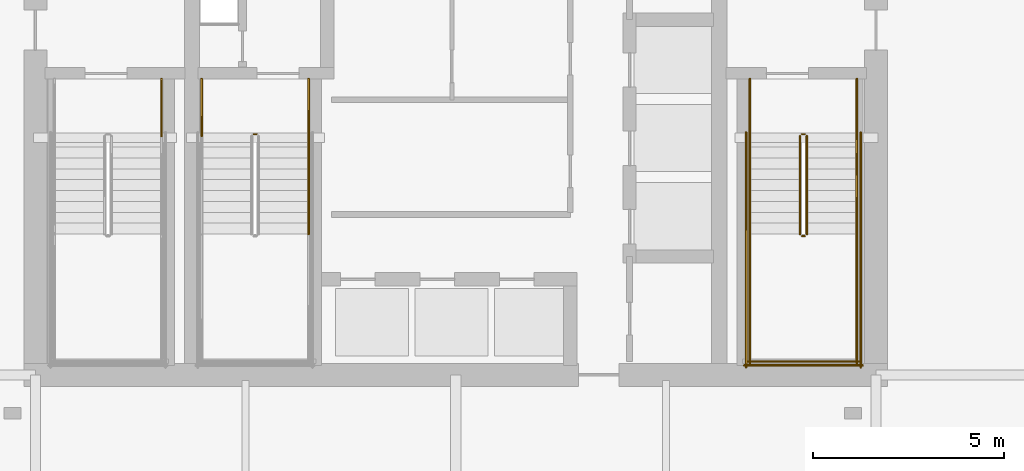
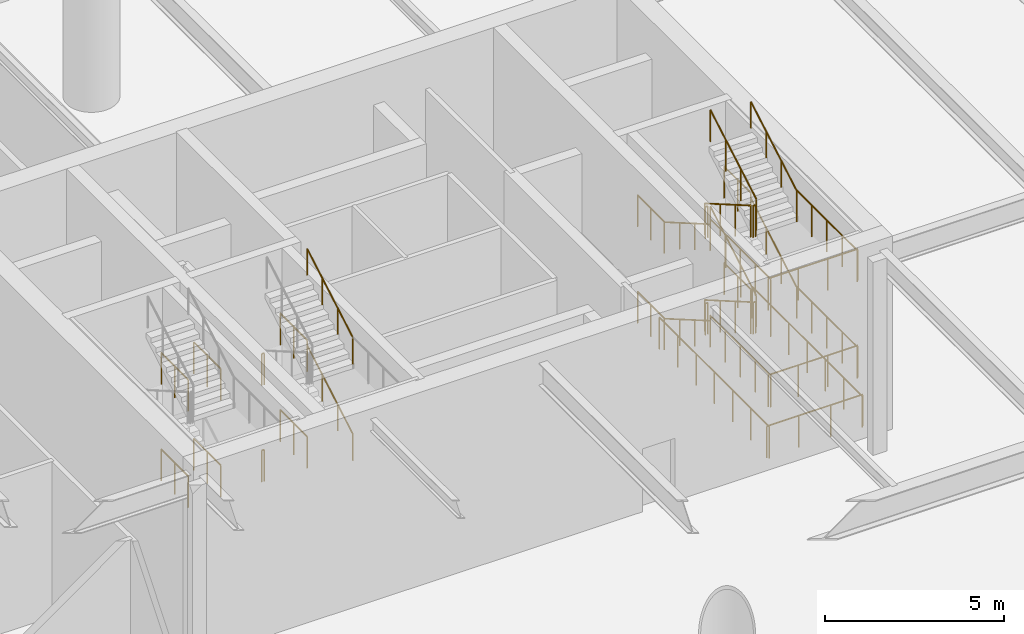
# One storey, part 11 of 15: 35 railings.
"""IFC4 building model written with IfcOpenShell, lengths in metres."""

import ifcopenshell
import ifcopenshell.guid

model = None  # the IFC model being written
_history = None  # IfcOwnerHistory: only IFC2X3 demands one
_inside = {}  # id of a spatial element -> (the spatial element, [elements in it])
_under = {}  # id of a project, library or spatial element -> (it, [spatial elements below it])
_declared = {}  # id of a project -> (the project, [libraries it declares])
_typed = {}  # id of a type object -> (the type object, [elements of that type])
_made_of = {}  # id of a material, layer set ... -> (it, [elements and type objects made of it])


def new_model(schema):
    """Start an empty IFC model of exactly this schema.

    Asked for "IFC4X3", IfcOpenShell would pick the latest addendum, in which some entities
    have other attributes; the version numbers below select the first issue.
    IFC2X3 requires an IfcOwnerHistory on every rooted entity: one is made here for all.
    """
    global model, _history
    if schema == "IFC4X3":
        model = ifcopenshell.file(schema_version=(4, 3, 0, 0))
    else:
        model = ifcopenshell.file(schema=schema)
    _inside.clear()
    _under.clear()
    _declared.clear()
    _typed.clear()
    _made_of.clear()
    _history = None
    if model.schema == "IFC2X3":
        org = make("IfcOrganization", Name="unknown")
        user = make(
            "IfcPersonAndOrganization",
            ThePerson=make("IfcPerson", FamilyName="unknown"),
            TheOrganization=org,
        )
        app = make(
            "IfcApplication",
            ApplicationDeveloper=org,
            Version="unknown",
            ApplicationFullName="unknown",
            ApplicationIdentifier="unknown",
        )
        _history = make(
            "IfcOwnerHistory",
            OwningUser=user,
            OwningApplication=app,
            ChangeAction="ADDED",
            CreationDate=0,
        )
    return model


def make(cls, **values):
    """One entity of the class cls with the attributes given. An attribute that is None is left unset."""
    return model.create_entity(
        cls, **{name: value for name, value in values.items() if value is not None}
    )


def rooted(cls, **values):
    """An entity with a GlobalId (a new one), such as an element, a storey or a relation."""
    return make(cls, GlobalId=ifcopenshell.guid.new(), OwnerHistory=_history, **values)


def si_unit(unit_type, name, prefix=None):
    """IfcSIUnit, for example si_unit("LENGTHUNIT", "METRE", prefix="MILLI")."""
    return make("IfcSIUnit", UnitType=unit_type, Prefix=prefix, Name=name)


def assignment(units):
    """IfcUnitAssignment: the units of a project."""
    return None if units is None else make("IfcUnitAssignment", Units=units)


def point(xyz):
    """IfcCartesianPoint."""
    return None if xyz is None else make("IfcCartesianPoint", Coordinates=xyz)


def direction(xyz):
    """IfcDirection."""
    return None if xyz is None else make("IfcDirection", DirectionRatios=xyz)


def frame(location, z_axis=None, x_axis=None):
    """IfcAxis2Placement3D, a coordinate frame: its origin and axes. An axis left out is left unset."""
    return make(
        "IfcAxis2Placement3D",
        Location=point(location),
        Axis=direction(z_axis),
        RefDirection=direction(x_axis),
    )


def frame_2d(location, x_axis=None):
    """IfcAxis2Placement2D, a coordinate frame in the plane: its origin and x axis."""
    return make(
        "IfcAxis2Placement2D", Location=point(location), RefDirection=direction(x_axis)
    )


def origin():
    """The frame at (0, 0, 0) with its axes left unset."""
    return frame((0.0, 0.0, 0.0))


def origin_2d():
    """The frame at (0, 0) in the plane with its x axis left unset."""
    return frame_2d((0.0, 0.0))


def place(relative_to, where):
    """IfcLocalPlacement: puts the frame where relative to a parent placement (None: the world)."""
    return make(
        "IfcLocalPlacement", PlacementRelTo=relative_to, RelativePlacement=where
    )


def context(
    kind, dimensions, precision=None, world=None, true_north=None, identifier=None
):
    """IfcGeometricRepresentationContext, for example the 3D "Model" context."""
    return make(
        "IfcGeometricRepresentationContext",
        ContextIdentifier=identifier,
        ContextType=kind,
        CoordinateSpaceDimension=dimensions,
        Precision=precision,
        WorldCoordinateSystem=world,
        TrueNorth=true_north,
    )


def subcontext(parent, identifier, kind, view, scale=None):
    """IfcGeometricRepresentationSubContext, for example "Body" below "Model"."""
    return make(
        "IfcGeometricRepresentationSubContext",
        ContextIdentifier=identifier,
        ContextType=kind,
        ParentContext=parent,
        TargetScale=scale,
        TargetView=view,
    )


def project(units=None, contexts=None):
    """IfcProject with its units and contexts."""
    return rooted(
        "IfcProject",
        Name="project",
        RepresentationContexts=contexts,
        UnitsInContext=assignment(units),
    )


def spatial(cls, under=None, at=None, **own):
    """A site, building, storey or space (cls), placed at a placement, below another one or the project."""
    s = rooted(cls, ObjectPlacement=at, **own)
    if under is not None:
        _under.setdefault(under.id(), (under, []))[1].append(s)
    return s


def profile(cls, at=None, kind="AREA", **sizes):
    """A parametric profile (cls). Its sizes go by their IFC names, for example OverallWidth=200.0."""
    return make(cls, ProfileType=kind, Position=at, **sizes)


def circle(**sizes):
    """IfcCircleProfileDef."""
    return profile("IfcCircleProfileDef", **sizes)


def extrude(swept, where, along, depth):
    """IfcExtrudedAreaSolid: the profile swept, set in the frame where, extruded along a direction by depth."""
    return make(
        "IfcExtrudedAreaSolid",
        SweptArea=swept,
        Position=where,
        ExtrudedDirection=direction(along),
        Depth=depth,
    )


def shape(context_of_items, identifier, shape_type, items):
    """IfcShapeRepresentation: the items that make up one representation, for example the "Body"."""
    return make(
        "IfcShapeRepresentation",
        ContextOfItems=context_of_items,
        RepresentationIdentifier=identifier,
        RepresentationType=shape_type,
        Items=items,
    )


def material(Name=None, Category=None):
    """IfcMaterial."""
    return make("IfcMaterial", Name=Name, Category=Category)


def made_of(thing, what):
    """Note that an element or type object is made of a material, layer set ...; save() writes the relation."""
    if what is not None:
        _made_of.setdefault(what.id(), (what, []))[1].append(thing)
    return thing


def type_object(cls, material=None, **own):
    """A type object (cls), such as IfcWallType, which elements share."""
    return made_of(rooted(cls, **own), material)


def element(
    cls,
    number,
    at=None,
    inside=None,
    cuts=None,
    type_object=None,
    material=None,
    context=None,
    identifier="Body",
    shape_type=None,
    held_by="IfcProductDefinitionShape",
    body=None,
    shapes=None,
    **own,
):
    """One element of the class cls, such as IfcWall. Its Tag is "e" and its number.

    at: its placement. inside: the storey or other place that contains it. cuts: it is an
    opening in that element (IfcRelVoidsElement). A single representation is given by context,
    identifier, shape_type and body (its items); several are given by shapes. held_by: the class
    of the entity that holds the representations. save() writes the other relations.
    """
    e = rooted(cls, Tag="e%d" % number, ObjectPlacement=at, **own)
    if body is not None:
        shapes = [shape(context, identifier, shape_type, body)]
    if shapes is not None:
        e.Representation = make(held_by, Representations=shapes)
    if inside is not None:
        _inside.setdefault(inside.id(), (inside, []))[1].append(e)
    if cuts is not None:
        rooted(
            "IfcRelVoidsElement", RelatingBuildingElement=cuts, RelatedOpeningElement=e
        )
    if type_object is not None:
        _typed.setdefault(type_object.id(), (type_object, []))[1].append(e)
    return made_of(e, material)


def aggregate(whole, parts):
    """IfcRelAggregates: a whole, such as a stair, and the parts it consists of."""
    return rooted("IfcRelAggregates", RelatingObject=whole, RelatedObjects=parts)


def save(model, path):
    """Write the relations noted so far, then the file.

    IfcRelAggregates (storeys below a building ...), IfcRelContainedInSpatialStructure (elements
    in a storey), IfcRelDefinesByType, IfcRelAssociatesMaterial and IfcRelDeclares: one each for
    every whole, place, type object, material and project.
    """
    for whole, parts in _under.values():
        aggregate(whole, parts)
    for where, things in _inside.values():
        rooted(
            "IfcRelContainedInSpatialStructure",
            RelatedElements=things,
            RelatingStructure=where,
        )
    for kind, things in _typed.values():
        rooted("IfcRelDefinesByType", RelatedObjects=things, RelatingType=kind)
    for what, things in _made_of.values():
        rooted("IfcRelAssociatesMaterial", RelatedObjects=things, RelatingMaterial=what)
    for by, libraries in _declared.values():
        rooted("IfcRelDeclares", RelatingContext=by, RelatedDefinitions=libraries)
    model.write(path)


model = new_model("IFC4")

# Units and contexts
model_context = context("Model", 3, precision=1e-05, world=origin(), true_north=direction((0.0, 1.0)))
body_context = subcontext(model_context, "Body", "Model", "MODEL_VIEW")
ifc_project = project(units=[si_unit("LENGTHUNIT", "METRE"), si_unit("AREAUNIT", "SQUARE_METRE"), si_unit("VOLUMEUNIT", "CUBIC_METRE"), si_unit("PLANEANGLEUNIT", "RADIAN"), si_unit("MASSUNIT", "GRAM", prefix="KILO")], contexts=[model_context])

# Site, building, storey
site_placement = place(None, origin())
site = spatial("IfcSite", under=ifc_project, at=site_placement, CompositionType="ELEMENT")
building_placement = place(site_placement, origin())
building = spatial("IfcBuilding", under=site, at=building_placement, Name="Bramvorn Convention Spire", CompositionType="ELEMENT")
storey_placement = place(building_placement, origin())
storey = spatial("IfcBuildingStorey", under=building, at=storey_placement, Name="L00", CompositionType="ELEMENT", Elevation=0.0)

# Railings
ifc_material_1 = material(Name="Painted Steel Balustrade & Guardrail", Category="steel")
railing_type_1 = type_object("IfcRailingType", Name="RL-STAIR-GUARD-1100", PredefinedType="GUARDRAIL", material=ifc_material_1)
for number, where, name in (
    (1, (30.300048828125, 26.550048828125, 3.300048828125), "L00 ST1 stair guard 9"),
    (2, (30.300048828125, 26.550048828125, 0.0), "L00 ST1 stair guard 18"),
):
    element("IfcRailing", number, at=place(storey_placement, frame(where)), inside=storey, type_object=railing_type_1, Name=name, PredefinedType="GUARDRAIL", context=body_context, shape_type="SweptSolid", body=[
        extrude(circle(Radius=0.02392578125, at=origin_2d()), frame((0.0, 0.0, 1.076171875), z_axis=(0.0, -1.0, 0.0), x_axis=(1.0, 0.0, 0.0)), (0.0, 0.0, 1.0), 1.5),
        extrude(circle(Radius=0.02099609375, at=origin_2d()), origin(), (0.0, 0.0, 1.0), 1.052001953125),
        extrude(circle(Radius=0.02099609375, at=origin_2d()), frame((0.0, -0.75, 0.0)), (0.0, 0.0, 1.0), 1.052001953125),
        extrude(circle(Radius=0.02099609375, at=origin_2d()), frame((0.0, -1.5, 0.0)), (0.0, 0.0, 1.0), 1.052001953125),
    ])
railing_1_placement = place(storey_placement, frame((47.010009765625, 25.050048828125, 0.1650390625)))
element("IfcRailing", 3, at=railing_1_placement, inside=storey, type_object=railing_type_1, Name="L00 ST2 stair guard 1", PredefinedType="GUARDRAIL", context=body_context, shape_type="SweptSolid", body=[
    extrude(circle(Radius=0.02392578125, at=origin_2d()), frame((0.0, 0.0, 1.076171875), z_axis=(0.0, -0.865441324677, 0.50101029285), x_axis=(1.0, 0.0, 0.0)), (0.0, 0.0, 1.0), 2.963623046875),
    extrude(circle(Radius=0.02099609375, at=origin_2d()), origin(), (0.0, 0.0, 1.0), 1.052001953125),
    extrude(circle(Radius=0.02099609375, at=origin_2d()), frame((0.0, -0.85498046875, 0.494873046875)), (0.0, 0.0, 1.0), 1.052001953125),
    extrude(circle(Radius=0.02099609375, at=origin_2d()), frame((0.0, -1.7099609375, 0.989990234375)), (0.0, 0.0, 1.0), 1.052001953125),
    extrude(circle(Radius=0.02099609375, at=origin_2d()), frame((0.0, -2.56494140625, 1.48486328125)), (0.0, 0.0, 1.0), 1.052001953125),
])
railing_2_placement = place(storey_placement, frame((47.06005859375, 22.43505859375, 1.64990234375)))
element("IfcRailing", 4, at=railing_2_placement, inside=storey, type_object=railing_type_1, Name="L00 ST2 stair guard 2", PredefinedType="GUARDRAIL", context=body_context, shape_type="SweptSolid", body=[
    extrude(circle(Radius=0.02392578125, at=origin_2d()), frame((0.0, 0.0, 1.076171875), z_axis=(1.0, 0.0, 0.0), x_axis=(0.0, 1.0, 0.0)), (0.0, 0.0, 1.0), 0.079833984375),
    extrude(circle(Radius=0.02099609375, at=origin_2d()), origin(), (0.0, 0.0, 1.0), 1.052001953125),
    extrude(circle(Radius=0.02099609375, at=origin_2d()), frame((0.079833984375, 0.0, 0.0)), (0.0, 0.0, 1.0), 1.052001953125),
])
for number, where, name in (
    (5, (45.699951171875, 22.485107421875, 1.64990234375), "L00 ST2 stair guard 3"),
    (6, (48.5, 22.485107421875, 1.64990234375), "L00 ST2 stair guard 4"),
):
    element("IfcRailing", number, at=place(storey_placement, frame(where)), inside=storey, type_object=railing_type_1, Name=name, PredefinedType="GUARDRAIL", context=body_context, shape_type="SweptSolid", body=[
        extrude(circle(Radius=0.02392578125, at=origin_2d()), frame((0.0, 0.0, 1.076171875), z_axis=(0.0, -1.0, 0.0), x_axis=(1.0, 0.0, 0.0)), (0.0, 0.0, 1.0), 3.385009765625),
        extrude(circle(Radius=0.02099609375, at=origin_2d()), origin(), (0.0, 0.0, 1.0), 1.052001953125),
        extrude(circle(Radius=0.02099609375, at=origin_2d()), frame((0.0, -0.84619140625, 0.0)), (0.0, 0.0, 1.0), 1.052001953125),
        extrude(circle(Radius=0.02099609375, at=origin_2d()), frame((0.0, -1.6923828125, 0.0)), (0.0, 0.0, 1.0), 1.052001953125),
        extrude(circle(Radius=0.02099609375, at=origin_2d()), frame((0.0, -2.538818359375, 0.0)), (0.0, 0.0, 1.0), 1.052001953125),
        extrude(circle(Radius=0.02099609375, at=origin_2d()), frame((0.0, -3.385009765625, 0.0)), (0.0, 0.0, 1.0), 1.052001953125),
    ])
railing_3_placement = place(storey_placement, frame((45.64990234375, 19.14990234375, 1.64990234375)))
element("IfcRailing", 7, at=railing_3_placement, inside=storey, type_object=railing_type_1, Name="L00 ST2 stair guard 5", PredefinedType="GUARDRAIL", context=body_context, shape_type="SweptSolid", body=[
    extrude(circle(Radius=0.02392578125, at=origin_2d()), frame((0.0, 0.0, 1.076171875), z_axis=(1.0, 0.0, 0.0), x_axis=(0.0, 1.0, 0.0)), (0.0, 0.0, 1.0), 2.900146484375),
    extrude(circle(Radius=0.02099609375, at=origin_2d()), origin(), (0.0, 0.0, 1.0), 1.052001953125),
    extrude(circle(Radius=0.02099609375, at=origin_2d()), frame((0.966796875, 0.0, 0.0)), (0.0, 0.0, 1.0), 1.052001953125),
    extrude(circle(Radius=0.02099609375, at=origin_2d()), frame((1.933349609375, 0.0, 0.0)), (0.0, 0.0, 1.0), 1.052001953125),
    extrude(circle(Radius=0.02099609375, at=origin_2d()), frame((2.900146484375, 0.0, 0.0)), (0.0, 0.0, 1.0), 1.052001953125),
])
railing_4_placement = place(storey_placement, frame((47.18994140625, 22.485107421875, 1.81494140625)))
element("IfcRailing", 8, at=railing_4_placement, inside=storey, type_object=railing_type_1, Name="L00 ST2 stair guard 6", PredefinedType="GUARDRAIL", context=body_context, shape_type="SweptSolid", body=[
    extrude(circle(Radius=0.02392578125, at=origin_2d()), frame((0.0, 0.0, 1.076171875), z_axis=(0.0, 0.865405606168, 0.501071987656), x_axis=(-1.0, 0.0, 0.0)), (0.0, 0.0, 1.0), 2.9638671875),
    extrude(circle(Radius=0.02099609375, at=origin_2d()), origin(), (0.0, 0.0, 1.0), 1.052001953125),
    extrude(circle(Radius=0.02099609375, at=origin_2d()), frame((0.0, 0.85498046875, 0.4951171875)), (0.0, 0.0, 1.0), 1.052001953125),
    extrude(circle(Radius=0.02099609375, at=origin_2d()), frame((0.0, 1.7099609375, 0.989990234375)), (0.0, 0.0, 1.0), 1.052001953125),
    extrude(circle(Radius=0.02099609375, at=origin_2d()), frame((0.0, 2.56494140625, 1.485107421875)), (0.0, 0.0, 1.0), 1.052001953125),
])
railing_5_placement = place(storey_placement, frame((47.06005859375, 25.10009765625, 3.300048828125)))
element("IfcRailing", 9, at=railing_5_placement, inside=storey, type_object=railing_type_1, Name="L00 ST2 stair guard 7", PredefinedType="GUARDRAIL", context=body_context, shape_type="SweptSolid", body=[
    extrude(circle(Radius=0.02392578125, at=origin_2d()), frame((0.0, 0.0, 1.076171875), z_axis=(1.0, 0.0, 0.0), x_axis=(0.0, 1.0, 0.0)), (0.0, 0.0, 1.0), 0.079833984375),
    extrude(circle(Radius=0.02099609375, at=origin_2d()), origin(), (0.0, 0.0, 1.0), 1.052001953125),
    extrude(circle(Radius=0.02099609375, at=origin_2d()), frame((0.079833984375, 0.0, 0.0)), (0.0, 0.0, 1.0), 1.052001953125),
])
for number, where, name in (
    (10, (45.699951171875, 26.550048828125, 3.300048828125), "L00 ST2 stair guard 8"),
    (11, (48.5, 26.550048828125, 3.300048828125), "L00 ST2 stair guard 9"),
):
    element("IfcRailing", number, at=place(storey_placement, frame(where)), inside=storey, type_object=railing_type_1, Name=name, PredefinedType="GUARDRAIL", context=body_context, shape_type="SweptSolid", body=[
        extrude(circle(Radius=0.02392578125, at=origin_2d()), frame((0.0, 0.0, 1.076171875), z_axis=(0.0, -1.0, 0.0), x_axis=(1.0, 0.0, 0.0)), (0.0, 0.0, 1.0), 1.5),
        extrude(circle(Radius=0.02099609375, at=origin_2d()), origin(), (0.0, 0.0, 1.0), 1.052001953125),
        extrude(circle(Radius=0.02099609375, at=origin_2d()), frame((0.0, -0.75, 0.0)), (0.0, 0.0, 1.0), 1.052001953125),
        extrude(circle(Radius=0.02099609375, at=origin_2d()), frame((0.0, -1.5, 0.0)), (0.0, 0.0, 1.0), 1.052001953125),
    ])
railing_6_placement = place(storey_placement, frame((47.010009765625, 25.050048828125, 3.465087890625)))
element("IfcRailing", 12, at=railing_6_placement, inside=storey, type_object=railing_type_1, Name="L00 ST2 stair guard 10", PredefinedType="GUARDRAIL", context=body_context, shape_type="SweptSolid", body=[
    extrude(circle(Radius=0.02392578125, at=origin_2d()), frame((0.0, 0.0, 1.076171875), z_axis=(0.0, -0.865441324677, 0.50101029285), x_axis=(1.0, 0.0, 0.0)), (0.0, 0.0, 1.0), 2.963623046875),
    extrude(circle(Radius=0.02099609375, at=origin_2d()), origin(), (0.0, 0.0, 1.0), 1.052001953125),
    extrude(circle(Radius=0.02099609375, at=origin_2d()), frame((0.0, -0.85498046875, 0.494873046875)), (0.0, 0.0, 1.0), 1.052001953125),
    extrude(circle(Radius=0.02099609375, at=origin_2d()), frame((0.0, -1.7099609375, 0.989990234375)), (0.0, 0.0, 1.0), 1.052001953125),
    extrude(circle(Radius=0.02099609375, at=origin_2d()), frame((0.0, -2.56494140625, 1.48486328125)), (0.0, 0.0, 1.0), 1.052001953125),
])
railing_7_placement = place(storey_placement, frame((47.06005859375, 22.43505859375, 4.949951171875)))
element("IfcRailing", 13, at=railing_7_placement, inside=storey, type_object=railing_type_1, Name="L00 ST2 stair guard 11", PredefinedType="GUARDRAIL", context=body_context, shape_type="SweptSolid", body=[
    extrude(circle(Radius=0.02392578125, at=origin_2d()), frame((0.0, 0.0, 1.076171875), z_axis=(1.0, 0.0, 0.0), x_axis=(0.0, 1.0, 0.0)), (0.0, 0.0, 1.0), 0.079833984375),
    extrude(circle(Radius=0.02099609375, at=origin_2d()), origin(), (0.0, 0.0, 1.0), 1.052001953125),
    extrude(circle(Radius=0.02099609375, at=origin_2d()), frame((0.079833984375, 0.0, 0.0)), (0.0, 0.0, 1.0), 1.052001953125),
])
for number, where, name in (
    (14, (45.699951171875, 22.485107421875, 4.949951171875), "L00 ST2 stair guard 12"),
    (15, (48.5, 22.485107421875, 4.949951171875), "L00 ST2 stair guard 13"),
):
    element("IfcRailing", number, at=place(storey_placement, frame(where)), inside=storey, type_object=railing_type_1, Name=name, PredefinedType="GUARDRAIL", context=body_context, shape_type="SweptSolid", body=[
        extrude(circle(Radius=0.02392578125, at=origin_2d()), frame((0.0, 0.0, 1.076171875), z_axis=(0.0, -1.0, 0.0), x_axis=(1.0, 0.0, 0.0)), (0.0, 0.0, 1.0), 3.385009765625),
        extrude(circle(Radius=0.02099609375, at=origin_2d()), origin(), (0.0, 0.0, 1.0), 1.052001953125),
        extrude(circle(Radius=0.02099609375, at=origin_2d()), frame((0.0, -0.84619140625, 0.0)), (0.0, 0.0, 1.0), 1.052001953125),
        extrude(circle(Radius=0.02099609375, at=origin_2d()), frame((0.0, -1.6923828125, 0.0)), (0.0, 0.0, 1.0), 1.052001953125),
        extrude(circle(Radius=0.02099609375, at=origin_2d()), frame((0.0, -2.538818359375, 0.0)), (0.0, 0.0, 1.0), 1.052001953125),
        extrude(circle(Radius=0.02099609375, at=origin_2d()), frame((0.0, -3.385009765625, 0.0)), (0.0, 0.0, 1.0), 1.052001953125),
    ])
railing_8_placement = place(storey_placement, frame((45.64990234375, 19.14990234375, 4.949951171875)))
element("IfcRailing", 16, at=railing_8_placement, inside=storey, type_object=railing_type_1, Name="L00 ST2 stair guard 14", PredefinedType="GUARDRAIL", context=body_context, shape_type="SweptSolid", body=[
    extrude(circle(Radius=0.02392578125, at=origin_2d()), frame((0.0, 0.0, 1.076171875), z_axis=(1.0, 0.0, 0.0), x_axis=(0.0, 1.0, 0.0)), (0.0, 0.0, 1.0), 2.900146484375),
    extrude(circle(Radius=0.02099609375, at=origin_2d()), origin(), (0.0, 0.0, 1.0), 1.052001953125),
    extrude(circle(Radius=0.02099609375, at=origin_2d()), frame((0.966796875, 0.0, 0.0)), (0.0, 0.0, 1.0), 1.052001953125),
    extrude(circle(Radius=0.02099609375, at=origin_2d()), frame((1.933349609375, 0.0, 0.0)), (0.0, 0.0, 1.0), 1.052001953125),
    extrude(circle(Radius=0.02099609375, at=origin_2d()), frame((2.900146484375, 0.0, 0.0)), (0.0, 0.0, 1.0), 1.052001953125),
])
railing_9_placement = place(storey_placement, frame((47.18994140625, 22.485107421875, 5.114990234375)))
element("IfcRailing", 17, at=railing_9_placement, inside=storey, type_object=railing_type_1, Name="L00 ST2 stair guard 15", PredefinedType="GUARDRAIL", context=body_context, shape_type="SweptSolid", body=[
    extrude(circle(Radius=0.02392578125, at=origin_2d()), frame((0.0, 0.0, 1.076171875), z_axis=(0.0, 0.865405606168, 0.501071987656), x_axis=(-1.0, 0.0, 0.0)), (0.0, 0.0, 1.0), 2.9638671875),
    extrude(circle(Radius=0.02099609375, at=origin_2d()), origin(), (0.0, 0.0, 1.0), 1.052001953125),
    extrude(circle(Radius=0.02099609375, at=origin_2d()), frame((0.0, 0.85498046875, 0.4951171875)), (0.0, 0.0, 1.0), 1.052001953125),
    extrude(circle(Radius=0.02099609375, at=origin_2d()), frame((0.0, 1.7099609375, 0.989990234375)), (0.0, 0.0, 1.0), 1.052001953125),
    extrude(circle(Radius=0.02099609375, at=origin_2d()), frame((0.0, 2.56494140625, 1.485107421875)), (0.0, 0.0, 1.0), 1.052001953125),
])
railing_10_placement = place(storey_placement, frame((47.06005859375, 25.10009765625, 0.0)))
element("IfcRailing", 18, at=railing_10_placement, inside=storey, type_object=railing_type_1, Name="L00 ST2 stair guard 16", PredefinedType="GUARDRAIL", context=body_context, shape_type="SweptSolid", body=[
    extrude(circle(Radius=0.02392578125, at=origin_2d()), frame((0.0, 0.0, 1.076171875), z_axis=(1.0, 0.0, 0.0), x_axis=(0.0, 1.0, 0.0)), (0.0, 0.0, 1.0), 0.079833984375),
    extrude(circle(Radius=0.02099609375, at=origin_2d()), origin(), (0.0, 0.0, 1.0), 1.052001953125),
    extrude(circle(Radius=0.02099609375, at=origin_2d()), frame((0.079833984375, 0.0, 0.0)), (0.0, 0.0, 1.0), 1.052001953125),
])
for number, where, name in (
    (19, (45.699951171875, 26.550048828125, 0.0), "L00 ST2 stair guard 17"),
    (20, (48.5, 26.550048828125, 0.0), "L00 ST2 stair guard 18"),
):
    element("IfcRailing", number, at=place(storey_placement, frame(where)), inside=storey, type_object=railing_type_1, Name=name, PredefinedType="GUARDRAIL", context=body_context, shape_type="SweptSolid", body=[
        extrude(circle(Radius=0.02392578125, at=origin_2d()), frame((0.0, 0.0, 1.076171875), z_axis=(0.0, -1.0, 0.0), x_axis=(1.0, 0.0, 0.0)), (0.0, 0.0, 1.0), 1.5),
        extrude(circle(Radius=0.02099609375, at=origin_2d()), origin(), (0.0, 0.0, 1.0), 1.052001953125),
        extrude(circle(Radius=0.02099609375, at=origin_2d()), frame((0.0, -0.75, 0.0)), (0.0, 0.0, 1.0), 1.052001953125),
        extrude(circle(Radius=0.02099609375, at=origin_2d()), frame((0.0, -1.5, 0.0)), (0.0, 0.0, 1.0), 1.052001953125),
    ])
for number, where, name in (
    (21, (45.60009765625, 25.14990234375, 0.0), "L00 ST2 stair guard 19"),
    (22, (48.60009765625, 25.14990234375, 0.0), "L00 ST2 stair guard 20"),
):
    element("IfcRailing", number, at=place(storey_placement, frame(where)), inside=storey, type_object=railing_type_1, Name=name, PredefinedType="GUARDRAIL", context=body_context, shape_type="SweptSolid", body=[
        extrude(circle(Radius=0.02392578125, at=origin_2d()), frame((0.0, 0.0, 1.076171875), z_axis=(0.0, -1.0, 0.0), x_axis=(1.0, 0.0, 0.0)), (0.0, 0.0, 1.0), 6.14990234375),
        extrude(circle(Radius=0.02099609375, at=origin_2d()), origin(), (0.0, 0.0, 1.0), 1.052001953125),
        extrude(circle(Radius=0.02099609375, at=origin_2d()), frame((0.0, -1.02490234375, 0.0)), (0.0, 0.0, 1.0), 1.052001953125),
        extrude(circle(Radius=0.02099609375, at=origin_2d()), frame((0.0, -2.050048828125, 0.0)), (0.0, 0.0, 1.0), 1.052001953125),
        extrude(circle(Radius=0.02099609375, at=origin_2d()), frame((0.0, -3.074951171875, 0.0)), (0.0, 0.0, 1.0), 1.052001953125),
        extrude(circle(Radius=0.02099609375, at=origin_2d()), frame((0.0, -4.099853515625, 0.0)), (0.0, 0.0, 1.0), 1.052001953125),
        extrude(circle(Radius=0.02099609375, at=origin_2d()), frame((0.0, -5.125, 0.0)), (0.0, 0.0, 1.0), 1.052001953125),
        extrude(circle(Radius=0.02099609375, at=origin_2d()), frame((0.0, -6.14990234375, 0.0)), (0.0, 0.0, 1.0), 1.052001953125),
    ])
railing_11_placement = place(storey_placement, frame((45.550048828125, 19.050048828125, 0.0)))
element("IfcRailing", 23, at=railing_11_placement, inside=storey, type_object=railing_type_1, Name="L00 ST2 stair guard 21", PredefinedType="GUARDRAIL", context=body_context, shape_type="SweptSolid", body=[
    extrude(circle(Radius=0.02392578125, at=origin_2d()), frame((0.0, 0.0, 1.076171875), z_axis=(1.0, 0.0, 0.0), x_axis=(0.0, 1.0, 0.0)), (0.0, 0.0, 1.0), 3.099853515625),
    extrude(circle(Radius=0.02099609375, at=origin_2d()), origin(), (0.0, 0.0, 1.0), 1.052001953125),
    extrude(circle(Radius=0.02099609375, at=origin_2d()), frame((1.033203125, 0.0, 0.0)), (0.0, 0.0, 1.0), 1.052001953125),
    extrude(circle(Radius=0.02099609375, at=origin_2d()), frame((2.066650390625, 0.0, 0.0)), (0.0, 0.0, 1.0), 1.052001953125),
    extrude(circle(Radius=0.02099609375, at=origin_2d()), frame((3.099853515625, 0.0, 0.0)), (0.0, 0.0, 1.0), 1.052001953125),
])
railing_12_placement = place(storey_placement, frame((32.7099609375, 25.10009765625, 3.300048828125)))
element("IfcRailing", 24, at=railing_12_placement, inside=storey, type_object=railing_type_1, Name="L00 ST3 stair guard 7", PredefinedType="GUARDRAIL", context=body_context, shape_type="SweptSolid", body=[
    extrude(circle(Radius=0.02392578125, at=origin_2d()), frame((0.0, 0.0, 1.076171875), z_axis=(1.0, 0.0, 0.0), x_axis=(0.0, 1.0, 0.0)), (0.0, 0.0, 1.0), 0.080078125),
    extrude(circle(Radius=0.02099609375, at=origin_2d()), origin(), (0.0, 0.0, 1.0), 1.052001953125),
    extrude(circle(Radius=0.02099609375, at=origin_2d()), frame((0.080078125, 0.0, 0.0)), (0.0, 0.0, 1.0), 1.052001953125),
])
for number, where, name in (
    (25, (31.35009765625, 26.550048828125, 3.300048828125), "L00 ST3 stair guard 8"),
    (26, (34.14990234375, 26.550048828125, 3.300048828125), "L00 ST3 stair guard 9"),
):
    element("IfcRailing", number, at=place(storey_placement, frame(where)), inside=storey, type_object=railing_type_1, Name=name, PredefinedType="GUARDRAIL", context=body_context, shape_type="SweptSolid", body=[
        extrude(circle(Radius=0.02392578125, at=origin_2d()), frame((0.0, 0.0, 1.076171875), z_axis=(0.0, -1.0, 0.0), x_axis=(1.0, 0.0, 0.0)), (0.0, 0.0, 1.0), 1.5),
        extrude(circle(Radius=0.02099609375, at=origin_2d()), origin(), (0.0, 0.0, 1.0), 1.052001953125),
        extrude(circle(Radius=0.02099609375, at=origin_2d()), frame((0.0, -0.75, 0.0)), (0.0, 0.0, 1.0), 1.052001953125),
        extrude(circle(Radius=0.02099609375, at=origin_2d()), frame((0.0, -1.5, 0.0)), (0.0, 0.0, 1.0), 1.052001953125),
    ])
railing_13_placement = place(storey_placement, frame((32.7099609375, 25.10009765625, 0.0)))
element("IfcRailing", 27, at=railing_13_placement, inside=storey, type_object=railing_type_1, Name="L00 ST3 stair guard 16", PredefinedType="GUARDRAIL", context=body_context, shape_type="SweptSolid", body=[
    extrude(circle(Radius=0.02392578125, at=origin_2d()), frame((0.0, 0.0, 1.076171875), z_axis=(1.0, 0.0, 0.0), x_axis=(0.0, 1.0, 0.0)), (0.0, 0.0, 1.0), 0.080078125),
    extrude(circle(Radius=0.02099609375, at=origin_2d()), origin(), (0.0, 0.0, 1.0), 1.052001953125),
    extrude(circle(Radius=0.02099609375, at=origin_2d()), frame((0.080078125, 0.0, 0.0)), (0.0, 0.0, 1.0), 1.052001953125),
])
for number, where, name in (
    (28, (31.35009765625, 26.550048828125, 0.0), "L00 ST3 stair guard 17"),
    (29, (34.14990234375, 26.550048828125, 0.0), "L00 ST3 stair guard 18"),
):
    element("IfcRailing", number, at=place(storey_placement, frame(where)), inside=storey, type_object=railing_type_1, Name=name, PredefinedType="GUARDRAIL", context=body_context, shape_type="SweptSolid", body=[
        extrude(circle(Radius=0.02392578125, at=origin_2d()), frame((0.0, 0.0, 1.076171875), z_axis=(0.0, -1.0, 0.0), x_axis=(1.0, 0.0, 0.0)), (0.0, 0.0, 1.0), 1.5),
        extrude(circle(Radius=0.02099609375, at=origin_2d()), origin(), (0.0, 0.0, 1.0), 1.052001953125),
        extrude(circle(Radius=0.02099609375, at=origin_2d()), frame((0.0, -0.75, 0.0)), (0.0, 0.0, 1.0), 1.052001953125),
        extrude(circle(Radius=0.02099609375, at=origin_2d()), frame((0.0, -1.5, 0.0)), (0.0, 0.0, 1.0), 1.052001953125),
    ])
ifc_material_2 = material(Name="Brushed Bronze Tubular Handrail", Category="aluminium")
railing_type_2 = type_object("IfcRailingType", Name="RL-STAIR-HR-920", PredefinedType="HANDRAIL", material=ifc_material_2)
railing_14_placement = place(storey_placement, frame((45.699951171875, 25.050048828125, 0.1650390625)))
element("IfcRailing", 30, at=railing_14_placement, inside=storey, type_object=railing_type_2, Name="L00 ST2 stair handrail 1", PredefinedType="HANDRAIL", context=body_context, shape_type="SweptSolid", body=[
    extrude(circle(Radius=0.02392578125, at=origin_2d()), frame((0.0, 0.0, 0.89599609375), z_axis=(0.0, -0.865441324677, 0.50101029285), x_axis=(1.0, 0.0, 0.0)), (0.0, 0.0, 1.0), 2.963623046875),
    extrude(circle(Radius=0.02099609375, at=origin_2d()), origin(), (0.0, 0.0, 1.0), 0.871826171875),
    extrude(circle(Radius=0.02099609375, at=origin_2d()), frame((0.0, -0.85498046875, 0.494873046875)), (0.0, 0.0, 1.0), 0.871826171875),
    extrude(circle(Radius=0.02099609375, at=origin_2d()), frame((0.0, -1.7099609375, 0.989990234375)), (0.0, 0.0, 1.0), 0.871826171875),
    extrude(circle(Radius=0.02099609375, at=origin_2d()), frame((0.0, -2.56494140625, 1.48486328125)), (0.0, 0.0, 1.0), 0.871826171875),
])
railing_15_placement = place(storey_placement, frame((48.5, 22.485107421875, 1.81494140625)))
element("IfcRailing", 31, at=railing_15_placement, inside=storey, type_object=railing_type_2, Name="L00 ST2 stair handrail 2", PredefinedType="HANDRAIL", context=body_context, shape_type="SweptSolid", body=[
    extrude(circle(Radius=0.02392578125, at=origin_2d()), frame((0.0, 0.0, 0.89599609375), z_axis=(0.0, 0.865405606168, 0.501071987656), x_axis=(-1.0, 0.0, 0.0)), (0.0, 0.0, 1.0), 2.9638671875),
    extrude(circle(Radius=0.02099609375, at=origin_2d()), origin(), (0.0, 0.0, 1.0), 0.871826171875),
    extrude(circle(Radius=0.02099609375, at=origin_2d()), frame((0.0, 0.85498046875, 0.4951171875)), (0.0, 0.0, 1.0), 0.871826171875),
    extrude(circle(Radius=0.02099609375, at=origin_2d()), frame((0.0, 1.7099609375, 0.989990234375)), (0.0, 0.0, 1.0), 0.871826171875),
    extrude(circle(Radius=0.02099609375, at=origin_2d()), frame((0.0, 2.56494140625, 1.485107421875)), (0.0, 0.0, 1.0), 0.871826171875),
])
railing_16_placement = place(storey_placement, frame((45.699951171875, 25.050048828125, 3.465087890625)))
element("IfcRailing", 32, at=railing_16_placement, inside=storey, type_object=railing_type_2, Name="L00 ST2 stair handrail 3", PredefinedType="HANDRAIL", context=body_context, shape_type="SweptSolid", body=[
    extrude(circle(Radius=0.02392578125, at=origin_2d()), frame((0.0, 0.0, 0.89599609375), z_axis=(0.0, -0.865441324677, 0.50101029285), x_axis=(1.0, 0.0, 0.0)), (0.0, 0.0, 1.0), 2.963623046875),
    extrude(circle(Radius=0.02099609375, at=origin_2d()), origin(), (0.0, 0.0, 1.0), 0.871826171875),
    extrude(circle(Radius=0.02099609375, at=origin_2d()), frame((0.0, -0.85498046875, 0.494873046875)), (0.0, 0.0, 1.0), 0.871826171875),
    extrude(circle(Radius=0.02099609375, at=origin_2d()), frame((0.0, -1.7099609375, 0.989990234375)), (0.0, 0.0, 1.0), 0.871826171875),
    extrude(circle(Radius=0.02099609375, at=origin_2d()), frame((0.0, -2.56494140625, 1.48486328125)), (0.0, 0.0, 1.0), 0.871826171875),
])
for number, where, name in (
    (33, (48.5, 22.485107421875, 5.114990234375), "L00 ST2 stair handrail 4"),
    (34, (34.14990234375, 22.485107421875, 1.81494140625), "L00 ST3 stair handrail 2"),
    (35, (34.14990234375, 22.485107421875, 5.114990234375), "L00 ST3 stair handrail 4"),
):
    element("IfcRailing", number, at=place(storey_placement, frame(where)), inside=storey, type_object=railing_type_2, Name=name, PredefinedType="HANDRAIL", context=body_context, shape_type="SweptSolid", body=[
        extrude(circle(Radius=0.02392578125, at=origin_2d()), frame((0.0, 0.0, 0.89599609375), z_axis=(0.0, 0.865405606168, 0.501071987656), x_axis=(-1.0, 0.0, 0.0)), (0.0, 0.0, 1.0), 2.9638671875),
        extrude(circle(Radius=0.02099609375, at=origin_2d()), origin(), (0.0, 0.0, 1.0), 0.871826171875),
        extrude(circle(Radius=0.02099609375, at=origin_2d()), frame((0.0, 0.85498046875, 0.4951171875)), (0.0, 0.0, 1.0), 0.871826171875),
        extrude(circle(Radius=0.02099609375, at=origin_2d()), frame((0.0, 1.7099609375, 0.989990234375)), (0.0, 0.0, 1.0), 0.871826171875),
        extrude(circle(Radius=0.02099609375, at=origin_2d()), frame((0.0, 2.56494140625, 1.485107421875)), (0.0, 0.0, 1.0), 0.871826171875),
    ])

save(model, "model.ifc")
